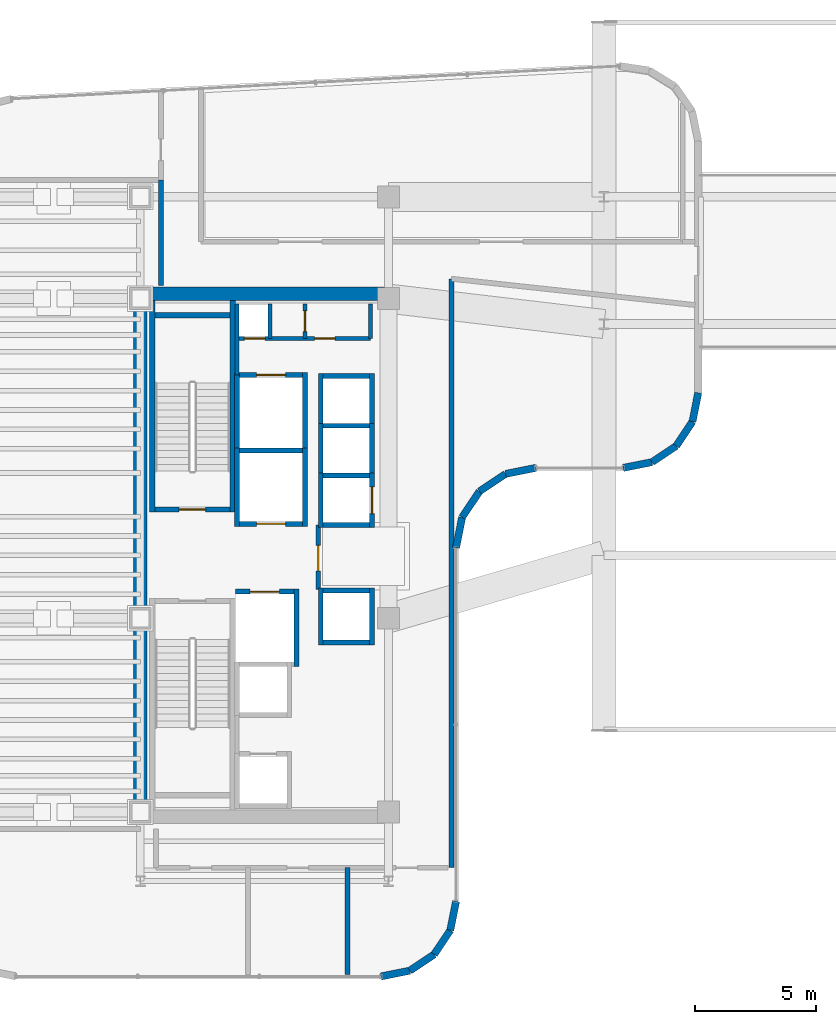
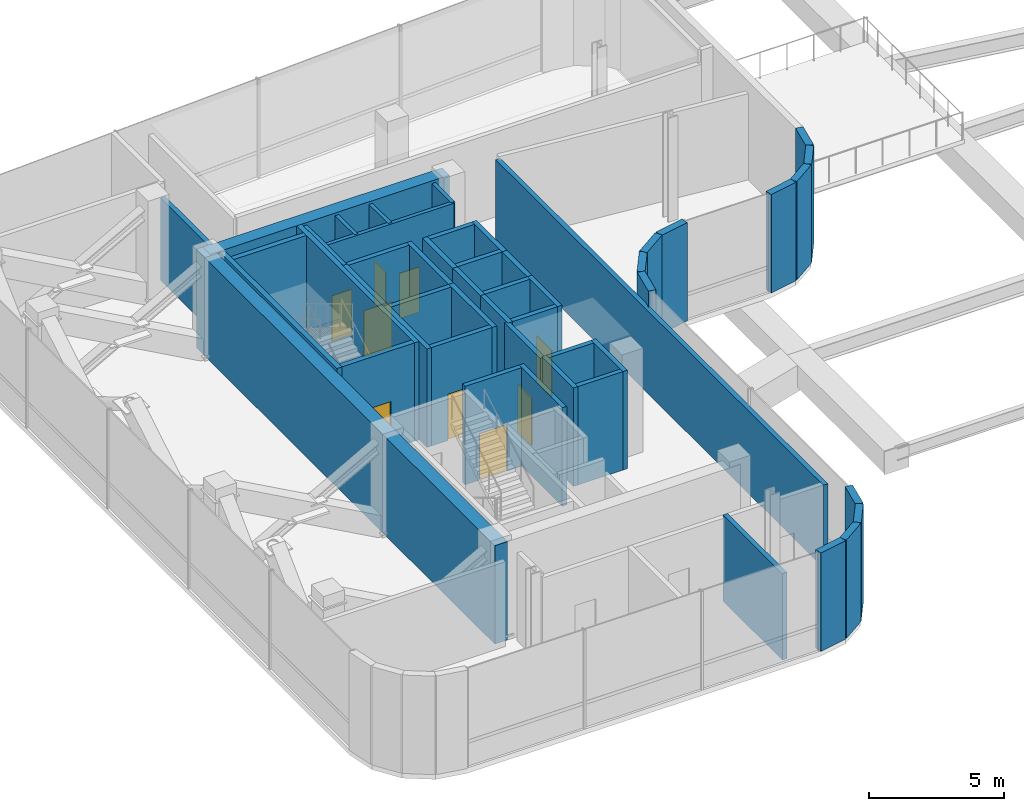
# One storey, part 17 of 20: 50 walls, 9 doors, 9 openings.
"""IFC4 building model written with IfcOpenShell, lengths in metres."""

from ifc_helpers import new_model, si_unit, direction, frame, frame_2d, origin, place, context, subcontext, project, spatial, rectangle, extrude, material, layer, layer_set, type_object, element, fill, save


model = new_model("IFC4")

# Units and contexts
model_context = context("Model", 3, precision=1e-05, world=origin(), true_north=direction((0.0, 1.0)))
body_context = subcontext(model_context, "Body", "Model", "MODEL_VIEW")
ifc_project = project(units=[si_unit("LENGTHUNIT", "METRE"), si_unit("AREAUNIT", "SQUARE_METRE"), si_unit("VOLUMEUNIT", "CUBIC_METRE"), si_unit("PLANEANGLEUNIT", "RADIAN"), si_unit("MASSUNIT", "GRAM", prefix="KILO")], contexts=[model_context])

# Site, building, storey
site_placement = place(None, origin())
site = spatial("IfcSite", under=ifc_project, at=site_placement, CompositionType="ELEMENT")
building_placement = place(site_placement, origin())
building = spatial("IfcBuilding", under=site, at=building_placement, Name="Valdorenza Pilgrim Sanctuary Tower", CompositionType="ELEMENT")
storey_placement = place(building_placement, frame((0.0, 0.0, 196.300048828125)))
storey = spatial("IfcBuildingStorey", under=building, at=storey_placement, Name="L50", CompositionType="ELEMENT", Elevation=196.300048828125)

# Wall
ifc_material_1 = material(Name="Acoustic twin-stud gypsum partition", Category="gypsum")
ifc_layer_1 = layer(ifc_material_1, 0.159912109375, Name="Acoustic twin-stud gypsum partition")
ifc_layer_set_1 = layer_set([ifc_layer_1], Name="Acoustic twin-stud gypsum partition")
wall_type_1 = type_object("IfcWallType", Name="WAL-COR-160", PredefinedType="PARTITIONING", material=ifc_layer_set_1)
wall_1_placement = place(storey_placement, frame((-18.64990234375, 7.449951171875, 0.0), z_axis=(0.0, 0.0, 1.0), x_axis=(0.0, 1.0, 0.0)))
element("IfcWall", 1, at=wall_1_placement, inside=storey, type_object=wall_type_1, Name="L50 Core A North Service West Wall", PredefinedType="PARTITIONING", context=body_context, shape_type="SweptSolid", body=[
    extrude(rectangle(XDim=2.929931640625, YDim=0.159912109375, at=frame_2d((1.46484375, 0.0))), origin(), (0.0, 0.0, 1.0), 4.4599609375),
])

# Wall, openings, doors
wall_2_placement = place(storey_placement, frame((-18.64990234375, 8.949951171875, 0.0), z_axis=(0.0, 0.0, 1.0), x_axis=(1.0, 0.0, 0.0)))
wall_2 = element("IfcWall", 2, at=wall_2_placement, inside=storey, type_object=wall_type_1, Name="L50 Core A North Service South Wall", PredefinedType="PARTITIONING", context=body_context, shape_type="SweptSolid", body=[
    extrude(rectangle(XDim=5.5, YDim=0.159912109375, at=frame_2d((2.75, 0.0))), origin(), (0.0, 0.0, 1.0), 4.4599609375),
])
opening_1_placement = place(wall_2_placement, frame((0.300048828125, 0.0, 0.0)))
opening_1 = element("IfcOpeningElement", 3, at=opening_1_placement, cuts=wall_2, Name="Opening DR-RS1", PredefinedType="OPENING", context=body_context, shape_type="SweptSolid", body=[
    extrude(rectangle(XDim=0.85009765625, YDim=2.050048828125, at=frame_2d((0.425048828125, 1.02490234375))), frame((0.0, 0.0947265625, 0.0), z_axis=(0.0, -1.0, 0.0), x_axis=(1.0, 0.0, 0.0)), (0.0, 0.0, 1.0), 0.189697265625),
])
opening_2_placement = place(wall_2_placement, frame((3.199951171875, 0.0, 0.0)))
opening_2 = element("IfcOpeningElement", 4, at=opening_2_placement, cuts=wall_2, Name="Opening DR-RS1", PredefinedType="OPENING", context=body_context, shape_type="SweptSolid", body=[
    extrude(rectangle(XDim=0.85009765625, YDim=2.050048828125, at=frame_2d((0.425048828125, 1.02490234375))), frame((0.0, 0.0947265625, 0.0), z_axis=(0.0, -1.0, 0.0), x_axis=(1.0, 0.0, 0.0)), (0.0, 0.0, 1.0), 0.189697265625),
])
ifc_material_2 = material(Name="Painted galvanized steel", Category="steel")
door_type_1 = type_object("IfcDoorType", Name="DR-RSR-850", OperationType="NOTDEFINED", PredefinedType="DOOR", material=ifc_material_2)
door_1_placement = place(opening_1_placement, origin())
door_1 = element("IfcDoor", 5, at=door_1_placement, inside=storey, type_object=door_type_1, Name="L50 Core Electrical and Telecom Riser Door", OperationType="SINGLE_SWING_LEFT", OverallHeight=2.050048828125, OverallWidth=0.85009765625, PredefinedType="DOOR", context=body_context, shape_type="SweptSolid", body=[
    extrude(rectangle(XDim=0.85009765625, YDim=2.050048828125, at=frame_2d((0.425048828125, 1.02490234375))), frame((0.0, 0.02490234375, 0.0), z_axis=(0.0, -1.0, 0.0), x_axis=(1.0, 0.0, 0.0)), (0.0, 0.0, 1.0), 0.050048828125),
])
fill(opening_1, door_1)
door_2_placement = place(opening_2_placement, origin())
door_2 = element("IfcDoor", 6, at=door_2_placement, inside=storey, type_object=door_type_1, Name="L50 Core Janitor and Maintenance Store Door", OperationType="SINGLE_SWING_RIGHT", OverallHeight=2.050048828125, OverallWidth=0.85009765625, PredefinedType="DOOR", context=body_context, shape_type="SweptSolid", body=[
    extrude(rectangle(XDim=0.85009765625, YDim=2.050048828125, at=frame_2d((0.425048828125, 1.02490234375))), frame((0.0, 0.02490234375, 0.0), z_axis=(0.0, -1.0, 0.0), x_axis=(1.0, 0.0, 0.0)), (0.0, 0.0, 1.0), 0.050048828125),
])
fill(opening_2, door_2)

# Walls
for number, where, z_axis, x_axis, name in (
    (7, (-13.14990234375, 8.949951171875, 0.0), (0.0, 0.0, 1.0), (0.0, 1.0, 0.0), "L50 Core A North Service East Wall"),
    (8, (-17.300048828125, 8.949951171875, 0.0), (0.0, 0.0, 1.0), (0.0, 1.0, 0.0), "L50 Core Electrical Riser Wall"),
):
    element("IfcWall", number, at=place(storey_placement, frame(where, z_axis=z_axis, x_axis=x_axis)), inside=storey, type_object=wall_type_1, Name=name, PredefinedType="PARTITIONING", context=body_context, shape_type="SweptSolid", body=[
        extrude(rectangle(XDim=1.429931640625, YDim=0.159912109375, at=frame_2d((0.71484375, 0.0))), origin(), (0.0, 0.0, 1.0), 4.4599609375),
    ])

# Wall, opening, door
wall_3_placement = place(storey_placement, frame((-15.85009765625, 8.949951171875, 0.0), z_axis=(0.0, 0.0, 1.0), x_axis=(0.0, 1.0, 0.0)))
wall_3 = element("IfcWall", 9, at=wall_3_placement, inside=storey, type_object=wall_type_1, Name="L50 Core A Split C", PredefinedType="PARTITIONING", context=body_context, shape_type="SweptSolid", body=[
    extrude(rectangle(XDim=1.429931640625, YDim=0.159912109375, at=frame_2d((0.71484375, 0.0))), origin(), (0.0, 0.0, 1.0), 4.4599609375),
])
opening_3_placement = place(wall_3_placement, frame((0.2900390625, 0.0, 0.0)))
opening_3 = element("IfcOpeningElement", 10, at=opening_3_placement, cuts=wall_3, Name="Opening DR-RS1", PredefinedType="OPENING", context=body_context, shape_type="SweptSolid", body=[
    extrude(rectangle(XDim=0.85009765625, YDim=2.050048828125, at=frame_2d((0.425048828125, 1.02490234375))), frame((0.0, 0.0947265625, 0.0), z_axis=(0.0, -1.0, 0.0), x_axis=(1.0, 0.0, 0.0)), (0.0, 0.0, 1.0), 0.189697265625),
])
door_3_placement = place(opening_3_placement, origin())
door_3 = element("IfcDoor", 11, at=door_3_placement, inside=storey, type_object=door_type_1, Name="L50 Clean Linen Supply Store Door", OperationType="SINGLE_SWING_LEFT", OverallHeight=2.050048828125, OverallWidth=0.85009765625, PredefinedType="DOOR", context=body_context, shape_type="SweptSolid", body=[
    extrude(rectangle(XDim=0.85009765625, YDim=2.050048828125, at=frame_2d((0.425048828125, 1.02490234375))), frame((0.0, 0.02490234375, 0.0), z_axis=(0.0, -1.0, 0.0), x_axis=(1.0, 0.0, 0.0)), (0.0, 0.0, 1.0), 0.050048828125),
])
fill(opening_3, door_3)

# Walls
ifc_material_3 = material(Name="Concrete C50/60", Category="concrete")
ifc_layer_2 = layer(ifc_material_3, 0.550048828125, Name="Concrete C50/60")
ifc_layer_set_2 = layer_set([ifc_layer_2], Name="Concrete C50/60")
wall_type_2 = type_object("IfcWallType", Name="WAL-COR-550", PredefinedType="SHEAR", material=ifc_layer_set_2)
wall_4_placement = place(storey_placement, frame((-22.64990234375, -11.074951171875, 0.0), z_axis=(0.0, 0.0, 1.0), x_axis=(0.0, 1.0, 0.0)))
element("IfcWall", 12, at=wall_4_placement, inside=storey, type_object=wall_type_2, Name="L50 Split Core A Shear Wall W", PredefinedType="SHEAR", context=body_context, shape_type="SweptSolid", body=[
    extrude(rectangle(XDim=22.14990234375, YDim=0.550048828125, at=frame_2d((11.074951171875, 0.0))), origin(), (0.0, 0.0, 1.0), 4.4599609375),
])
wall_5_placement = place(storey_placement, frame((-22.64990234375, 10.800048828125, 0.0), z_axis=(0.0, 0.0, 1.0), x_axis=(1.0, 0.0, 0.0)))
element("IfcWall", 13, at=wall_5_placement, inside=storey, type_object=wall_type_2, Name="L50 Split Core A Shear Wall N", PredefinedType="SHEAR", context=body_context, shape_type="SweptSolid", body=[
    extrude(rectangle(XDim=10.25, YDim=0.550048828125, at=frame_2d((5.125, 0.0))), origin(), (0.0, 0.0, 1.0), 4.4599609375),
])
ifc_material_4 = material(Name="Honed travertine limestone", Category="masonry")
ifc_layer_3 = layer(ifc_material_4, 0.300048828125, Name="Honed travertine limestone")
ifc_layer_set_3 = layer_set([ifc_layer_3], Name="Honed travertine limestone")
wall_type_3 = type_object("IfcWallType", Name="WAL-EXT-300", PredefinedType="SOLIDWALL", material=ifc_layer_set_3)
wall_6_placement = place(storey_placement, frame((0.389892578125, 6.710693359375, 0.0), z_axis=(0.0, 0.0, 1.0), x_axis=(-0.194996050505, -0.980804027463, 0.0)))
element("IfcWall", 14, at=wall_6_placement, inside=storey, type_object=wall_type_3, Name="L50 Rounded Wind-Corner Stone Pier 12", PredefinedType="SOLIDWALL", context=body_context, shape_type="SweptSolid", body=[
    extrude(rectangle(XDim=1.2158203125, YDim=0.300048828125, at=frame_2d((0.60791015625, 0.0))), origin(), (0.0, 0.0, 1.0), 4.4599609375),
])
for number, where, z_axis, x_axis, name in (
    (15, (0.15283203125, 5.518310546875, 0.0), (0.0, 0.0, 1.0), (-0.555635100982, -0.831426265255, 0.0), "L50 Rounded Wind-Corner Stone Pier 13"),
    (16, (-0.5166015625, 4.5166015625, 0.0), (0.0, 0.0, 1.0), (-0.831426265255, -0.555635100982, 0.0), "L50 Rounded Wind-Corner Stone Pier 14"),
):
    element("IfcWall", number, at=place(storey_placement, frame(where, z_axis=z_axis, x_axis=x_axis)), inside=storey, type_object=wall_type_3, Name=name, PredefinedType="SOLIDWALL", context=body_context, shape_type="SweptSolid", body=[
        extrude(rectangle(XDim=1.204833984375, YDim=0.300048828125, at=frame_2d((0.6025390625, 0.0))), origin(), (0.0, 0.0, 1.0), 4.4599609375),
    ])
wall_7_placement = place(storey_placement, frame((-1.518310546875, 3.84716796875, 0.0), z_axis=(0.0, 0.0, 1.0), x_axis=(-0.980804027463, -0.194996050505, 0.0)))
element("IfcWall", 17, at=wall_7_placement, inside=storey, type_object=wall_type_3, Name="L50 Rounded Wind-Corner Stone Pier 15", PredefinedType="SOLIDWALL", context=body_context, shape_type="SweptSolid", body=[
    extrude(rectangle(XDim=1.2158203125, YDim=0.300048828125, at=frame_2d((0.60791015625, 0.0))), origin(), (0.0, 0.0, 1.0), 4.4599609375),
])
wall_8_placement = place(storey_placement, frame((-6.310791015625, 3.610107421875, 0.0), z_axis=(0.0, 0.0, 1.0), x_axis=(-0.980778058848, -0.195126623715, 0.0)))
element("IfcWall", 18, at=wall_8_placement, inside=storey, type_object=wall_type_3, Name="L50 Rounded Wind-Corner Stone Pier 17", PredefinedType="SOLIDWALL", context=body_context, shape_type="SweptSolid", body=[
    extrude(rectangle(XDim=1.28125, YDim=0.300048828125, at=frame_2d((0.640625, 0.0))), origin(), (0.0, 0.0, 1.0), 4.4599609375),
])
for number, where, z_axis, x_axis, name in (
    (19, (-7.5673828125, 3.360107421875, 0.0), (0.0, 0.0, 1.0), (-0.831497739511, -0.555528135371, 0.0), "L50 Rounded Wind-Corner Stone Pier 18"),
    (20, (-8.64208984375, 2.64208984375, 0.0), (0.0, 0.0, 1.0), (-0.555528135371, -0.831497739511, 0.0), "L50 Rounded Wind-Corner Stone Pier 19"),
):
    element("IfcWall", number, at=place(storey_placement, frame(where, z_axis=z_axis, x_axis=x_axis)), inside=storey, type_object=wall_type_3, Name=name, PredefinedType="SOLIDWALL", context=body_context, shape_type="SweptSolid", body=[
        extrude(rectangle(XDim=1.29248046875, YDim=0.300048828125, at=frame_2d((0.646240234375, 0.0))), origin(), (0.0, 0.0, 1.0), 4.4599609375),
    ])
wall_9_placement = place(storey_placement, frame((-9.360107421875, 1.5673828125, 0.0), z_axis=(0.0, 0.0, 1.0), x_axis=(-0.195126623715, -0.980778058848, 0.0)))
element("IfcWall", 21, at=wall_9_placement, inside=storey, type_object=wall_type_3, Name="L50 Rounded Wind-Corner Stone Pier 20", PredefinedType="SOLIDWALL", context=body_context, shape_type="SweptSolid", body=[
    extrude(rectangle(XDim=1.28125, YDim=0.300048828125, at=frame_2d((0.640625, 0.0))), origin(), (0.0, 0.0, 1.0), 4.4599609375),
])
wall_10_placement = place(storey_placement, frame((-9.610107421875, -14.289306640625, 0.0), z_axis=(0.0, 0.0, 1.0), x_axis=(-0.194996050505, -0.980804027463, 0.0)))
element("IfcWall", 22, at=wall_10_placement, inside=storey, type_object=wall_type_3, Name="L50 Rounded Wind-Corner Stone Pier 22", PredefinedType="SOLIDWALL", context=body_context, shape_type="SweptSolid", body=[
    extrude(rectangle(XDim=1.2158203125, YDim=0.300048828125, at=frame_2d((0.60791015625, 0.0))), origin(), (0.0, 0.0, 1.0), 4.4599609375),
])
for number, where, z_axis, x_axis, name in (
    (23, (-9.84716796875, -15.481689453125, 0.0), (0.0, 0.0, 1.0), (-0.555635100982, -0.831426265255, 0.0), "L50 Rounded Wind-Corner Stone Pier 23"),
    (24, (-10.5166015625, -16.4833984375, 0.0), (0.0, 0.0, 1.0), (-0.831426265255, -0.555635100982, 0.0), "L50 Rounded Wind-Corner Stone Pier 24"),
):
    element("IfcWall", number, at=place(storey_placement, frame(where, z_axis=z_axis, x_axis=x_axis)), inside=storey, type_object=wall_type_3, Name=name, PredefinedType="SOLIDWALL", context=body_context, shape_type="SweptSolid", body=[
        extrude(rectangle(XDim=1.204833984375, YDim=0.300048828125, at=frame_2d((0.6025390625, 0.0))), origin(), (0.0, 0.0, 1.0), 4.4599609375),
    ])
wall_11_placement = place(storey_placement, frame((-11.518310546875, -17.15283203125, 0.0), z_axis=(0.0, 0.0, 1.0), x_axis=(-0.980804027463, -0.194996050505, 0.0)))
element("IfcWall", 25, at=wall_11_placement, inside=storey, type_object=wall_type_3, Name="L50 Rounded Wind-Corner Stone Pier 25", PredefinedType="SOLIDWALL", context=body_context, shape_type="SweptSolid", body=[
    extrude(rectangle(XDim=1.2158203125, YDim=0.300048828125, at=frame_2d((0.60791015625, 0.0))), origin(), (0.0, 0.0, 1.0), 4.4599609375),
])

# Wall, opening, door
ifc_material_5 = material(Name="Gypsum shaftwall partition", Category="gypsum")
ifc_layer_4 = layer(ifc_material_5, 0.199951171875, Name="Gypsum shaftwall partition")
ifc_layer_set_4 = layer_set([ifc_layer_4], Name="Gypsum shaftwall partition")
wall_type_4 = type_object("IfcWallType", Name="WAL-FFL-200", PredefinedType="PARTITIONING", material=ifc_layer_set_4)
wall_12_placement = place(storey_placement, frame((-15.300048828125, -1.419921875, 0.0), z_axis=(0.0, 0.0, 1.0), x_axis=(0.0, 1.0, 0.0)))
wall_12 = element("IfcWall", 26, at=wall_12_placement, inside=storey, type_object=wall_type_4, Name="L50 Core A Firefighting Lobby East Wall", PredefinedType="PARTITIONING", context=body_context, shape_type="SweptSolid", body=[
    extrude(rectangle(XDim=2.669921875, YDim=0.199951171875, at=frame_2d((1.3349609375, 0.0))), origin(), (0.0, 0.0, 1.0), 4.4599609375),
])
opening_4_placement = place(wall_12_placement, frame((0.780029296875, 0.0, 0.0)))
opening_4 = element("IfcOpeningElement", 27, at=opening_4_placement, cuts=wall_12, Name="Opening DR-FL1", PredefinedType="OPENING", context=body_context, shape_type="SweptSolid", body=[
    extrude(rectangle(XDim=1.050048828125, YDim=2.14990234375, at=frame_2d((0.52490234375, 1.074951171875))), frame((0.0, 0.11474609375, 0.0), z_axis=(0.0, -1.0, 0.0), x_axis=(1.0, 0.0, 0.0)), (0.0, 0.0, 1.0), 0.229736328125),
])
door_type_2 = type_object("IfcDoorType", Name="DR-FFL-1050", OperationType="NOTDEFINED", PredefinedType="DOOR", material=ifc_material_2)
door_4_placement = place(opening_4_placement, origin())
door_4 = element("IfcDoor", 28, at=door_4_placement, inside=storey, type_object=door_type_2, Name="L50 Core A Firefighting Lobby Door", OperationType="SINGLE_SWING_RIGHT", OverallHeight=2.14990234375, OverallWidth=1.050048828125, PredefinedType="DOOR", context=body_context, shape_type="SweptSolid", body=[
    extrude(rectangle(XDim=1.050048828125, YDim=2.14990234375, at=frame_2d((0.52490234375, 1.074951171875))), frame((0.0, 0.02490234375, 0.0), z_axis=(0.0, -1.0, 0.0), x_axis=(1.0, 0.0, 0.0)), (0.0, 0.0, 1.0), 0.050048828125),
])
fill(opening_4, door_4)

# Walls
wall_13_placement = place(storey_placement, frame((-21.800048828125, 11.14990234375, 0.0), z_axis=(0.0, 0.0, 1.0), x_axis=(0.0, 1.0, 0.0)))
element("IfcWall", 29, at=wall_13_placement, inside=storey, type_object=wall_type_4, Name="L50 L50 Outrigger Bay NE Wall", PredefinedType="PARTITIONING", context=body_context, shape_type="SweptSolid", body=[
    extrude(rectangle(XDim=4.35009765625, YDim=0.199951171875, at=frame_2d((2.175048828125, 0.0))), origin(), (0.0, 0.0, 1.0), 3.743896484375),
])
wall_14_placement = place(storey_placement, frame((-14.10009765625, -17.300048828125, 0.0), z_axis=(0.0, 0.0, 1.0), x_axis=(0.0, 1.0, 0.0)))
element("IfcWall", 30, at=wall_14_placement, inside=storey, type_object=wall_type_4, Name="L50 L50 South Plant Divider 2", PredefinedType="PARTITIONING", context=body_context, shape_type="SweptSolid", body=[
    extrude(rectangle(XDim=4.400146484375, YDim=0.199951171875, at=frame_2d((2.2001953125, 0.0))), origin(), (0.0, 0.0, 1.0), 3.906005859375),
])
wall_15_placement = place(storey_placement, frame((-9.800048828125, -12.89990234375, 0.0), z_axis=(0.0, 0.0, 1.0), x_axis=(0.0, 1.0, 0.0)))
element("IfcWall", 31, at=wall_15_placement, inside=storey, type_object=wall_type_4, Name="L50 L50 Core A East Corridor Wall", PredefinedType="PARTITIONING", context=body_context, shape_type="SweptSolid", body=[
    extrude(rectangle(XDim=24.31982421875, YDim=0.199951171875, at=frame_2d((12.159912109375, 0.0))), origin(), (0.0, 0.0, 1.0), 3.743896484375),
])
ifc_material_6 = material(Name="Autoclaved aerated concrete blockwork", Category="masonry")
ifc_layer_5 = layer(ifc_material_6, 0.199951171875, Name="Autoclaved aerated concrete blockwork")
ifc_layer_set_5 = layer_set([ifc_layer_5], Name="Autoclaved aerated concrete blockwork")
wall_type_5 = type_object("IfcWallType", Name="WAL-SHF-200", PredefinedType="MOVABLE", material=ifc_layer_set_5)
for number, where, z_axis, x_axis, name in (
    (32, (-18.64990234375, 1.199951171875, 0.0), (0.0, 0.0, 1.0), (0.0, 1.0, 0.0), "L50 Lift FFL-01 Hoistway Wall West"),
    (33, (-15.85009765625, 1.199951171875, 0.0), (0.0, 0.0, 1.0), (0.0, 1.0, 0.0), "L50 Lift FFL-01 Hoistway Wall East"),
):
    element("IfcWall", number, at=place(storey_placement, frame(where, z_axis=z_axis, x_axis=x_axis)), inside=storey, type_object=wall_type_5, Name=name, PredefinedType="MOVABLE", context=body_context, shape_type="SweptSolid", body=[
        extrude(rectangle(XDim=3.22509765625, YDim=0.199951171875, at=frame_2d((1.612548828125, 0.0))), origin(), (0.0, 0.0, 1.0), 4.4599609375),
    ])

# Wall, opening, door
wall_16_placement = place(storey_placement, frame((-18.550048828125, 1.300048828125, 0.0), z_axis=(0.0, 0.0, 1.0), x_axis=(1.0, 0.0, 0.0)))
wall_16 = element("IfcWall", 34, at=wall_16_placement, inside=storey, type_object=wall_type_5, Name="L50 Lift FFL-01 Hoistway Wall South", PredefinedType="MOVABLE", context=body_context, shape_type="SweptSolid", body=[
    extrude(rectangle(XDim=2.60009765625, YDim=0.199951171875, at=frame_2d((1.300048828125, 0.0))), origin(), (0.0, 0.0, 1.0), 4.4599609375),
])
opening_5_placement = place(wall_16_placement, frame((0.699951171875, 0.0, 0.0)))
opening_5 = element("IfcOpeningElement", 35, at=opening_5_placement, cuts=wall_16, Name="Opening LD-02", PredefinedType="OPENING", context=body_context, shape_type="SweptSolid", body=[
    extrude(rectangle(XDim=1.199951171875, YDim=2.10009765625, at=frame_2d((0.60009765625, 1.050048828125))), frame((0.0, 0.11474609375, 0.0), z_axis=(0.0, -1.0, 0.0), x_axis=(1.0, 0.0, 0.0)), (0.0, 0.0, 1.0), 0.229736328125),
])
ifc_material_7 = material(Name="Brushed stainless steel Grade 316", Category="steel")
door_type_3 = type_object("IfcDoorType", Name="DR-LFT-1200", OperationType="DOUBLE_DOOR_SLIDING", PredefinedType="DOOR", material=ifc_material_7)
door_5_placement = place(opening_5_placement, origin())
door_5 = element("IfcDoor", 36, at=door_5_placement, inside=storey, type_object=door_type_3, Name="L50 Lift FFL-01 Sliding Landing Door", OperationType="DOUBLE_DOOR_SLIDING", OverallHeight=2.10009765625, OverallWidth=1.199951171875, PredefinedType="DOOR", context=body_context, shape_type="SweptSolid", body=[
    extrude(rectangle(XDim=1.199951171875, YDim=2.10009765625, at=frame_2d((0.60009765625, 1.050048828125))), frame((0.0, 0.02490234375, 0.0), z_axis=(0.0, -1.0, 0.0), x_axis=(1.0, 0.0, 0.0)), (0.0, 0.0, 1.0), 0.050048828125),
])
fill(opening_5, door_5)

# Walls
wall_17_placement = place(storey_placement, frame((-18.550048828125, 4.324951171875, 0.0), z_axis=(0.0, 0.0, 1.0), x_axis=(1.0, 0.0, 0.0)))
element("IfcWall", 37, at=wall_17_placement, inside=storey, type_object=wall_type_5, Name="L50 Lift FFL-01 Hoistway Wall North", PredefinedType="MOVABLE", context=body_context, shape_type="SweptSolid", body=[
    extrude(rectangle(XDim=2.60009765625, YDim=0.199951171875, at=frame_2d((1.300048828125, 0.0))), origin(), (0.0, 0.0, 1.0), 4.4599609375),
])
wall_18_placement = place(storey_placement, frame((-16.199951171875, -4.60009765625, 0.0), z_axis=(0.0, 0.0, 1.0), x_axis=(0.0, 1.0, 0.0)))
element("IfcWall", 38, at=wall_18_placement, inside=storey, type_object=wall_type_5, Name="L50 Lift FFL-02 Hoistway Wall East", PredefinedType="MOVABLE", context=body_context, shape_type="SweptSolid", body=[
    extrude(rectangle(XDim=3.2001953125, YDim=0.199951171875, at=frame_2d((1.60009765625, 0.0))), origin(), (0.0, 0.0, 1.0), 4.4599609375),
])

# Wall, opening, door
wall_19_placement = place(storey_placement, frame((-18.719970703125, -1.5, 0.0), z_axis=(0.0, 0.0, 1.0), x_axis=(1.0, 0.0, 0.0)))
wall_19 = element("IfcWall", 39, at=wall_19_placement, inside=storey, type_object=wall_type_5, Name="L50 Lift FFL-02 Hoistway Wall North", PredefinedType="MOVABLE", context=body_context, shape_type="SweptSolid", body=[
    extrude(rectangle(XDim=2.419921875, YDim=0.199951171875, at=frame_2d((1.2099609375, 0.0))), origin(), (0.0, 0.0, 1.0), 4.4599609375),
])
opening_6_placement = place(wall_19_placement, frame((0.610107421875, 0.0, 0.0)))
opening_6 = element("IfcOpeningElement", 40, at=opening_6_placement, cuts=wall_19, Name="Opening LD-02", PredefinedType="OPENING", context=body_context, shape_type="SweptSolid", body=[
    extrude(rectangle(XDim=1.199951171875, YDim=2.10009765625, at=frame_2d((0.60009765625, 1.050048828125))), frame((0.0, 0.11474609375, 0.0), z_axis=(0.0, -1.0, 0.0), x_axis=(1.0, 0.0, 0.0)), (0.0, 0.0, 1.0), 0.229736328125),
])
door_6_placement = place(opening_6_placement, origin())
door_6 = element("IfcDoor", 41, at=door_6_placement, inside=storey, type_object=door_type_3, Name="L50 Lift FFL-02 Sliding Landing Door", OperationType="DOUBLE_DOOR_SLIDING", OverallHeight=2.10009765625, OverallWidth=1.199951171875, PredefinedType="DOOR", context=body_context, shape_type="SweptSolid", body=[
    extrude(rectangle(XDim=1.199951171875, YDim=2.10009765625, at=frame_2d((0.60009765625, 1.050048828125))), frame((0.0, 0.02490234375, 0.0), z_axis=(0.0, -1.0, 0.0), x_axis=(1.0, 0.0, 0.0)), (0.0, 0.0, 1.0), 0.050048828125),
])
fill(opening_6, door_6)

# Walls
for number, where, z_axis, x_axis, name in (
    (42, (-18.64990234375, 4.22509765625, 0.0), (0.0, 0.0, 1.0), (0.0, 1.0, 0.0), "L50 Lift SVL-01 Hoistway Wall West"),
    (43, (-15.85009765625, 4.22509765625, 0.0), (0.0, 0.0, 1.0), (0.0, 1.0, 0.0), "L50 Lift SVL-01 Hoistway Wall East"),
):
    element("IfcWall", number, at=place(storey_placement, frame(where, z_axis=z_axis, x_axis=x_axis)), inside=storey, type_object=wall_type_5, Name=name, PredefinedType="MOVABLE", context=body_context, shape_type="SweptSolid", body=[
        extrude(rectangle(XDim=3.324951171875, YDim=0.199951171875, at=frame_2d((1.66259765625, 0.0))), origin(), (0.0, 0.0, 1.0), 4.4599609375),
    ])

# Wall, opening, door
wall_20_placement = place(storey_placement, frame((-18.550048828125, 7.449951171875, 0.0), z_axis=(0.0, 0.0, 1.0), x_axis=(1.0, 0.0, 0.0)))
wall_20 = element("IfcWall", 44, at=wall_20_placement, inside=storey, type_object=wall_type_5, Name="L50 Lift SVL-01 Hoistway Wall North", PredefinedType="MOVABLE", context=body_context, shape_type="SweptSolid", body=[
    extrude(rectangle(XDim=2.60009765625, YDim=0.199951171875, at=frame_2d((1.300048828125, 0.0))), origin(), (0.0, 0.0, 1.0), 4.4599609375),
])
opening_7_placement = place(wall_20_placement, frame((0.699951171875, 0.0, 0.0)))
opening_7 = element("IfcOpeningElement", 45, at=opening_7_placement, cuts=wall_20, Name="Opening LD-02", PredefinedType="OPENING", context=body_context, shape_type="SweptSolid", body=[
    extrude(rectangle(XDim=1.199951171875, YDim=2.10009765625, at=frame_2d((0.60009765625, 1.050048828125))), frame((0.0, 0.11474609375, 0.0), z_axis=(0.0, -1.0, 0.0), x_axis=(1.0, 0.0, 0.0)), (0.0, 0.0, 1.0), 0.229736328125),
])
door_7_placement = place(opening_7_placement, origin())
door_7 = element("IfcDoor", 46, at=door_7_placement, inside=storey, type_object=door_type_3, Name="L50 Lift SVL-01 Sliding Landing Door", OperationType="DOUBLE_DOOR_SLIDING", OverallHeight=2.10009765625, OverallWidth=1.199951171875, PredefinedType="DOOR", context=body_context, shape_type="SweptSolid", body=[
    extrude(rectangle(XDim=1.199951171875, YDim=2.10009765625, at=frame_2d((0.60009765625, 1.050048828125))), frame((0.0, 0.02490234375, 0.0), z_axis=(0.0, -1.0, 0.0), x_axis=(1.0, 0.0, 0.0)), (0.0, 0.0, 1.0), 0.050048828125),
])
fill(opening_7, door_7)

# Wall
wall_21_placement = place(storey_placement, frame((-15.199951171875, 1.14990234375, 0.0), z_axis=(0.0, 0.0, 1.0), x_axis=(0.0, 1.0, 0.0)))
element("IfcWall", 47, at=wall_21_placement, inside=storey, type_object=wall_type_5, Name="L50 Lift PL-06 Hoistway Wall West", PredefinedType="MOVABLE", context=body_context, shape_type="SweptSolid", body=[
    extrude(rectangle(XDim=2.25, YDim=0.199951171875, at=frame_2d((1.125, 0.0))), origin(), (0.0, 0.0, 1.0), 4.4599609375),
])

# Wall, opening, door
wall_22_placement = place(storey_placement, frame((-13.080078125, 1.14990234375, 0.0), z_axis=(0.0, 0.0, 1.0), x_axis=(0.0, 1.0, 0.0)))
wall_22 = element("IfcWall", 48, at=wall_22_placement, inside=storey, type_object=wall_type_5, Name="L50 Lift PL-06 Hoistway Wall East", PredefinedType="MOVABLE", context=body_context, shape_type="SweptSolid", body=[
    extrude(rectangle(XDim=2.25, YDim=0.199951171875, at=frame_2d((1.125, 0.0))), origin(), (0.0, 0.0, 1.0), 4.4599609375),
])
opening_8_placement = place(wall_22_placement, frame((0.574951171875, 0.0, 0.0)))
opening_8 = element("IfcOpeningElement", 49, at=opening_8_placement, cuts=wall_22, Name="Opening LD-01", PredefinedType="OPENING", context=body_context, shape_type="SweptSolid", body=[
    extrude(rectangle(XDim=1.10009765625, YDim=2.10009765625, at=frame_2d((0.550048828125, 1.050048828125))), frame((0.0, 0.11474609375, 0.0), z_axis=(0.0, -1.0, 0.0), x_axis=(1.0, 0.0, 0.0)), (0.0, 0.0, 1.0), 0.229736328125),
])
door_type_4 = type_object("IfcDoorType", Name="DR-LFT-1100", OperationType="DOUBLE_DOOR_SLIDING", PredefinedType="DOOR", material=ifc_material_7)
door_8_placement = place(opening_8_placement, origin())
door_8 = element("IfcDoor", 50, at=door_8_placement, inside=storey, type_object=door_type_4, Name="L50 Lift PL-06 Sliding Landing Door", OperationType="DOUBLE_DOOR_SLIDING", OverallHeight=2.10009765625, OverallWidth=1.10009765625, PredefinedType="DOOR", context=body_context, shape_type="SweptSolid", body=[
    extrude(rectangle(XDim=1.10009765625, YDim=2.10009765625, at=frame_2d((0.550048828125, 1.050048828125))), frame((0.0, 0.02490234375, 0.0), z_axis=(0.0, -1.0, 0.0), x_axis=(1.0, 0.0, 0.0)), (0.0, 0.0, 1.0), 0.050048828125),
])
fill(opening_8, door_8)

# Walls
wall_23_placement = place(storey_placement, frame((-15.10009765625, 1.25, 0.0), z_axis=(0.0, 0.0, 1.0), x_axis=(1.0, 0.0, 0.0)))
element("IfcWall", 51, at=wall_23_placement, inside=storey, type_object=wall_type_5, Name="L50 Lift PL-06 Hoistway Wall South", PredefinedType="MOVABLE", context=body_context, shape_type="SweptSolid", body=[
    extrude(rectangle(XDim=1.920166015625, YDim=0.199951171875, at=frame_2d((0.9599609375, 0.0))), origin(), (0.0, 0.0, 1.0), 4.4599609375),
])
for number, where, z_axis, x_axis, name in (
    (52, (-15.199951171875, 3.199951171875, 0.0), (0.0, 0.0, 1.0), (0.0, 1.0, 0.0), "L50 Lift PL-09 Hoistway Wall West"),
    (53, (-13.080078125, 3.199951171875, 0.0), (0.0, 0.0, 1.0), (0.0, 1.0, 0.0), "L50 Lift PL-09 Hoistway Wall East"),
):
    element("IfcWall", number, at=place(storey_placement, frame(where, z_axis=z_axis, x_axis=x_axis)), inside=storey, type_object=wall_type_5, Name=name, PredefinedType="MOVABLE", context=body_context, shape_type="SweptSolid", body=[
        extrude(rectangle(XDim=2.25, YDim=0.199951171875, at=frame_2d((1.125, 0.0))), origin(), (0.0, 0.0, 1.0), 4.4599609375),
    ])
for number, where, z_axis, x_axis, name in (
    (54, (-15.10009765625, 3.300048828125, 0.0), (0.0, 0.0, 1.0), (1.0, 0.0, 0.0), "L50 Lift PL-09 Hoistway Wall South"),
    (55, (-15.10009765625, 5.35009765625, 0.0), (0.0, 0.0, 1.0), (1.0, 0.0, 0.0), "L50 Lift PL-09 Hoistway Wall North"),
):
    element("IfcWall", number, at=place(storey_placement, frame(where, z_axis=z_axis, x_axis=x_axis)), inside=storey, type_object=wall_type_5, Name=name, PredefinedType="MOVABLE", context=body_context, shape_type="SweptSolid", body=[
        extrude(rectangle(XDim=1.920166015625, YDim=0.199951171875, at=frame_2d((0.9599609375, 0.0))), origin(), (0.0, 0.0, 1.0), 4.4599609375),
    ])
for number, where, z_axis, x_axis, name in (
    (56, (-15.199951171875, 5.25, 0.0), (0.0, 0.0, 1.0), (0.0, 1.0, 0.0), "L50 Lift PL-10 Hoistway Wall West"),
    (57, (-13.080078125, 5.25, 0.0), (0.0, 0.0, 1.0), (0.0, 1.0, 0.0), "L50 Lift PL-10 Hoistway Wall East"),
):
    element("IfcWall", number, at=place(storey_placement, frame(where, z_axis=z_axis, x_axis=x_axis)), inside=storey, type_object=wall_type_5, Name=name, PredefinedType="MOVABLE", context=body_context, shape_type="SweptSolid", body=[
        extrude(rectangle(XDim=2.25, YDim=0.199951171875, at=frame_2d((1.125, 0.0))), origin(), (0.0, 0.0, 1.0), 4.4599609375),
    ])
wall_24_placement = place(storey_placement, frame((-15.10009765625, 7.39990234375, 0.0), z_axis=(0.0, 0.0, 1.0), x_axis=(1.0, 0.0, 0.0)))
element("IfcWall", 58, at=wall_24_placement, inside=storey, type_object=wall_type_5, Name="L50 Lift PL-10 Hoistway Wall North", PredefinedType="MOVABLE", context=body_context, shape_type="SweptSolid", body=[
    extrude(rectangle(XDim=1.920166015625, YDim=0.199951171875, at=frame_2d((0.9599609375, 0.0))), origin(), (0.0, 0.0, 1.0), 4.4599609375),
])
for number, where, z_axis, x_axis, name in (
    (59, (-15.199951171875, -3.699951171875, 0.0), (0.0, 0.0, 1.0), (0.0, 1.0, 0.0), "L50 Lift PL-12 Hoistway Wall West"),
    (60, (-13.080078125, -3.699951171875, 0.0), (0.0, 0.0, 1.0), (0.0, 1.0, 0.0), "L50 Lift PL-12 Hoistway Wall East"),
):
    element("IfcWall", number, at=place(storey_placement, frame(where, z_axis=z_axis, x_axis=x_axis)), inside=storey, type_object=wall_type_5, Name=name, PredefinedType="MOVABLE", context=body_context, shape_type="SweptSolid", body=[
        extrude(rectangle(XDim=2.349853515625, YDim=0.199951171875, at=frame_2d((1.1748046875, 0.0))), origin(), (0.0, 0.0, 1.0), 4.4599609375),
    ])
for number, where, z_axis, x_axis, name in (
    (61, (-15.10009765625, -3.60009765625, 0.0), (0.0, 0.0, 1.0), (1.0, 0.0, 0.0), "L50 Lift PL-12 Hoistway Wall South"),
    (62, (-15.10009765625, -1.449951171875, 0.0), (0.0, 0.0, 1.0), (1.0, 0.0, 0.0), "L50 Lift PL-12 Hoistway Wall North"),
):
    element("IfcWall", number, at=place(storey_placement, frame(where, z_axis=z_axis, x_axis=x_axis)), inside=storey, type_object=wall_type_5, Name=name, PredefinedType="MOVABLE", context=body_context, shape_type="SweptSolid", body=[
        extrude(rectangle(XDim=1.920166015625, YDim=0.199951171875, at=frame_2d((0.9599609375, 0.0))), origin(), (0.0, 0.0, 1.0), 4.4599609375),
    ])
ifc_material_8 = material(Name="Concrete C40/50", Category="concrete")
ifc_layer_6 = layer(ifc_material_8, 0.219970703125, Name="Concrete C40/50")
ifc_layer_set_6 = layer_set([ifc_layer_6], Name="Concrete C40/50")
wall_type_6 = type_object("IfcWallType", Name="WAL-STR-SHF-220", PredefinedType="SHEAR", material=ifc_layer_set_6)
for number, where, z_axis, x_axis, name in (
    (63, (-22.159912109375, 1.780029296875, 0.0), (0.0, 0.0, 1.0), (0.0, 1.0, 0.0), "L50 ST-A1 Structural Stairwell Wall W"),
    (64, (-18.830078125, 1.780029296875, 0.0), (0.0, 0.0, 1.0), (0.0, 1.0, 0.0), "L50 ST-A1 Structural Stairwell Wall E"),
):
    element("IfcWall", number, at=place(storey_placement, frame(where, z_axis=z_axis, x_axis=x_axis)), inside=storey, type_object=wall_type_6, Name=name, PredefinedType="SHEAR", context=body_context, shape_type="SweptSolid", body=[
        extrude(rectangle(XDim=8.744873046875, YDim=0.219970703125, at=frame_2d((4.37255859375, 0.0))), origin(), (0.0, 0.0, 1.0), 4.4599609375),
    ])

# Wall, opening, door
wall_25_placement = place(storey_placement, frame((-22.050048828125, 1.889892578125, 0.0), z_axis=(0.0, 0.0, 1.0), x_axis=(1.0, 0.0, 0.0)))
wall_25 = element("IfcWall", 65, at=wall_25_placement, inside=storey, type_object=wall_type_6, Name="L50 ST-A1 Structural Stairwell Wall S", PredefinedType="SHEAR", context=body_context, shape_type="SweptSolid", body=[
    extrude(rectangle(XDim=3.110107421875, YDim=0.219970703125, at=frame_2d((1.55517578125, 0.0))), origin(), (0.0, 0.0, 1.0), 4.4599609375),
])
opening_9_placement = place(wall_25_placement, frame((1.0, 0.0, 0.0)))
opening_9 = element("IfcOpeningElement", 66, at=opening_9_placement, cuts=wall_25, Name="Opening DR-ST1", PredefinedType="OPENING", context=body_context, shape_type="SweptSolid", body=[
    extrude(rectangle(XDim=1.10009765625, YDim=2.14990234375, at=frame_2d((0.550048828125, 1.074951171875))), frame((0.0, 0.125, 0.0), z_axis=(0.0, -1.0, 0.0), x_axis=(1.0, 0.0, 0.0)), (0.0, 0.0, 1.0), 0.249755859375),
])
door_type_5 = type_object("IfcDoorType", Name="DR-STAIR-1100", OperationType="NOTDEFINED", PredefinedType="DOOR", material=ifc_material_2)
door_9_placement = place(opening_9_placement, frame((1.10009765625, 0.0, 0.0), z_axis=(0.0, 0.0, 1.0), x_axis=(-1.0, 0.0, 0.0)))
door_9 = element("IfcDoor", 67, at=door_9_placement, inside=storey, type_object=door_type_5, Name="L50 Exit Stair ST-A1 Door", OperationType="SINGLE_SWING_LEFT", OverallHeight=2.14990234375, OverallWidth=1.10009765625, PredefinedType="DOOR", context=body_context, shape_type="SweptSolid", body=[
    extrude(rectangle(XDim=1.10009765625, YDim=2.14990234375, at=frame_2d((0.550048828125, 1.074951171875))), frame((0.0, 0.02490234375, 0.0), z_axis=(0.0, -1.0, 0.0), x_axis=(1.0, 0.0, 0.0)), (0.0, 0.0, 1.0), 0.050048828125),
])
fill(opening_9, door_9)

# Wall
wall_26_placement = place(storey_placement, frame((-22.050048828125, 9.909912109375, 0.0), z_axis=(0.0, 0.0, 1.0), x_axis=(1.0, 0.0, 0.0)))
element("IfcWall", 68, at=wall_26_placement, inside=storey, type_object=wall_type_6, Name="L50 ST-A1 Structural Stairwell Wall N", PredefinedType="SHEAR", context=body_context, shape_type="SweptSolid", body=[
    extrude(rectangle(XDim=3.110107421875, YDim=0.219970703125, at=frame_2d((1.55517578125, 0.0))), origin(), (0.0, 0.0, 1.0), 4.4599609375),
])

save(model, "model.ifc")
